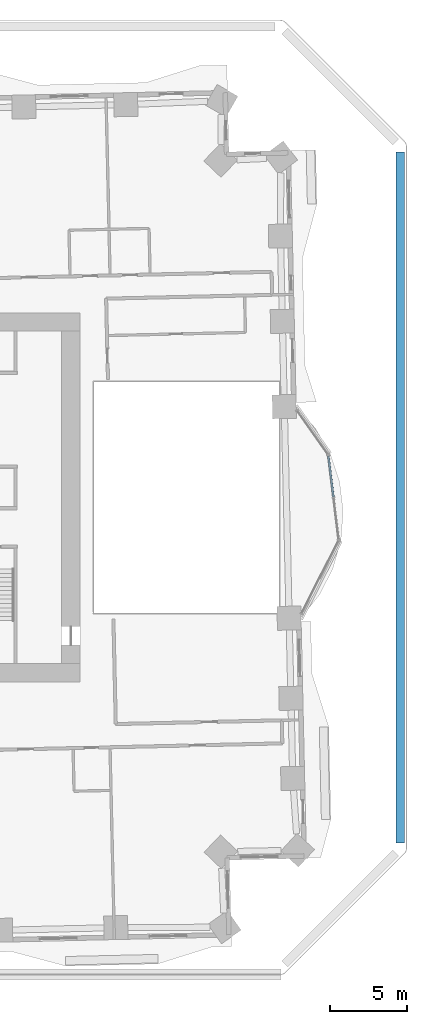
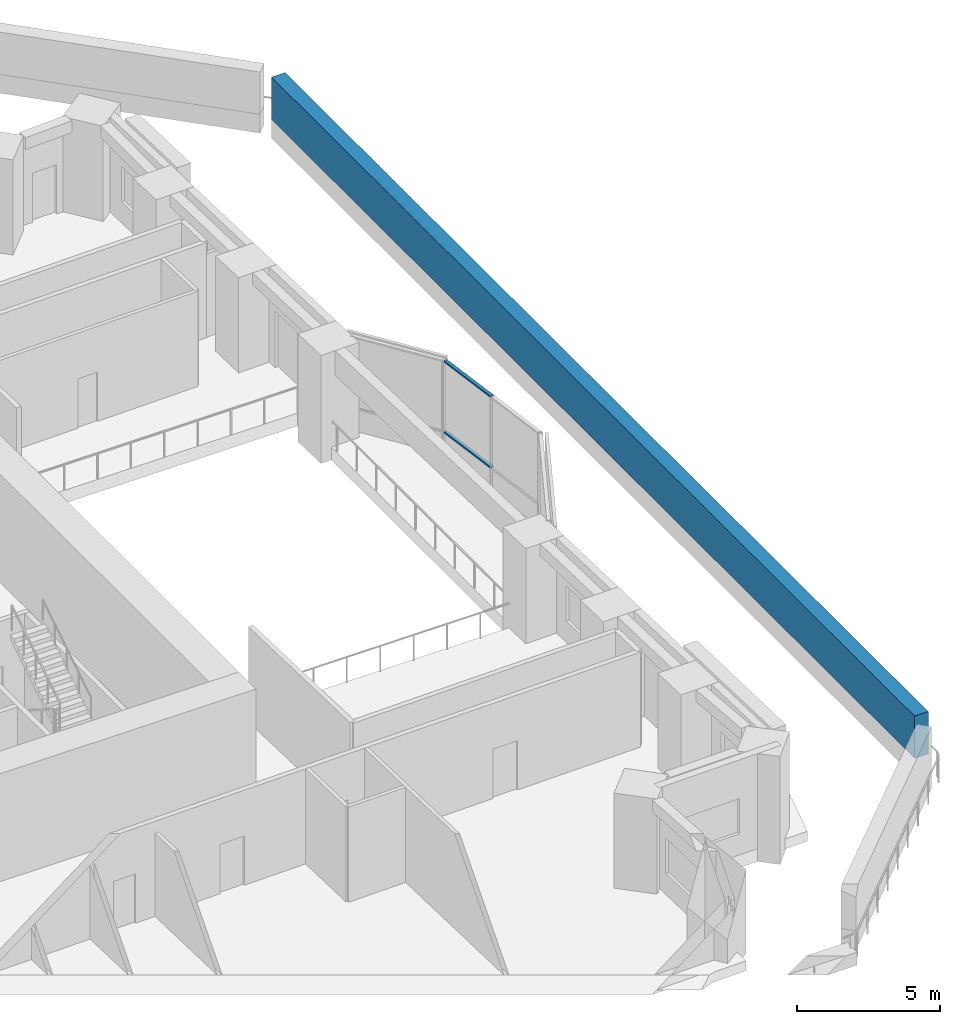
# One storey, part 7 of 21: 3 members, 1 element without a shape of its own.
"""IFC4 building model written with IfcOpenShell, lengths in metres."""

from ifc_helpers import new_model, si_unit, direction, frame, origin, origin_2d, place, context, subcontext, project, spatial, rectangle, extrude, material, material_profile, profile_set, type_object, element, aggregate, save


model = new_model("IFC4")

# Units and contexts
model_context = context("Model", 3, precision=1e-05, world=origin(), true_north=direction((0.0, 1.0)))
body_context = subcontext(model_context, "Body", "Model", "MODEL_VIEW")
ifc_project = project(units=[si_unit("LENGTHUNIT", "METRE"), si_unit("AREAUNIT", "SQUARE_METRE"), si_unit("VOLUMEUNIT", "CUBIC_METRE"), si_unit("PLANEANGLEUNIT", "RADIAN"), si_unit("MASSUNIT", "GRAM", prefix="KILO")], contexts=[model_context])

# Site, building, storey
site_placement = place(None, origin())
site = spatial("IfcSite", under=ifc_project, at=site_placement, CompositionType="ELEMENT")
building_placement = place(site_placement, origin())
building = spatial("IfcBuilding", under=site, at=building_placement, Name="Mangrove Gate Tower", CompositionType="ELEMENT")
storey_placement = place(building_placement, frame((0.0, 0.0, 29.5)))
storey = spatial("IfcBuildingStorey", under=building, at=storey_placement, Name="L06", CompositionType="ELEMENT", Elevation=29.5)

# Member
ifc_material_1 = material(Name="Planting on aluminium trellis", Category="aluminium")
ifc_material_profile_1 = material_profile(ifc_material_1, rectangle(XDim=0.550048828125, YDim=1.800048828125, at=origin_2d()))
ifc_profile_set_1 = profile_set([ifc_material_profile_1], Name="Planting on aluminium trellis")
member_type_1 = type_object("IfcMemberType", Name="Roof greenery screen 550x1800", PredefinedType="USERDEFINED", material=ifc_profile_set_1)
member_1_placement = place(storey_placement, frame((35.784912109375, 22.443115234375, 1.699951171875), z_axis=(0.0, -1.0, 0.0), x_axis=(1.0, 0.0, 0.0)))
element("IfcMember", 1, at=member_1_placement, inside=storey, type_object=member_type_1, Name="GREEN SCREEN L06 T2.1.42", ObjectType="PLANTING", PredefinedType="USERDEFINED", context=body_context, shape_type="SweptSolid", body=[
    extrude(rectangle(XDim=0.550048828125, YDim=1.800048828125, at=origin_2d()), origin(), (0.0, 0.0, 1.0), 44.88623046875),
])

# Curtain wall, members
ifc_material_2 = material(Name="Aluminium and glass curtain wall", Category="aluminium")
curtain_wall_type = type_object("IfcCurtainWallType", Name="Sky-lounge glazing wall", PredefinedType="NOTDEFINED", material=ifc_material_2)
curtain_wall_placement = place(storey_placement, origin())
curtain_wall = element("IfcCurtainWall", 2, at=curtain_wall_placement, inside=storey, type_object=curtain_wall_type, Name="Sky-lounge glazing E1f2", PredefinedType="NOTDEFINED")
ifc_material_3 = material(Name="Aluminium alloy 6063-T6", Category="aluminium")
ifc_material_profile_2 = material_profile(ifc_material_3, rectangle(XDim=0.06005859375, YDim=0.139892578125, at=origin_2d()))
ifc_profile_set_2 = profile_set([ifc_material_profile_2], Name="Aluminium alloy 6063-T6")
member_type_2 = type_object("IfcMemberType", Name="Sky-lounge glazing transom 60x140", PredefinedType="USERDEFINED", material=ifc_profile_set_2)
member_2_placement = place(storey_placement, frame((31.451416015625, 0.029541015625, 1.0), z_axis=(-0.122129132669, 0.992514219018, 0.0), x_axis=(0.0, 0.0, 1.0)))
member_2 = element("IfcMember", 3, at=member_2_placement, type_object=member_type_2, Name="CWK transom 2.2", ObjectType="TRANSOM", PredefinedType="USERDEFINED", context=body_context, shape_type="SweptSolid", body=[
    extrude(rectangle(XDim=0.06005859375, YDim=0.139892578125, at=origin_2d()), origin(), (0.0, 0.0, 1.0), 2.69677734375),
])
member_3_placement = place(storey_placement, frame((31.451416015625, 0.029541015625, 4.02001953125), z_axis=(-0.122129132669, 0.992514219018, 0.0), x_axis=(0.0, 0.0, 1.0)))
member_3 = element("IfcMember", 4, at=member_3_placement, type_object=member_type_2, Name="CWK transom 2.3", ObjectType="TRANSOM", PredefinedType="USERDEFINED", context=body_context, shape_type="SweptSolid", body=[
    extrude(rectangle(XDim=0.06005859375, YDim=0.139892578125, at=origin_2d()), origin(), (0.0, 0.0, 1.0), 2.69677734375),
])
aggregate(curtain_wall, [member_2, member_3])

save(model, "model.ifc")
